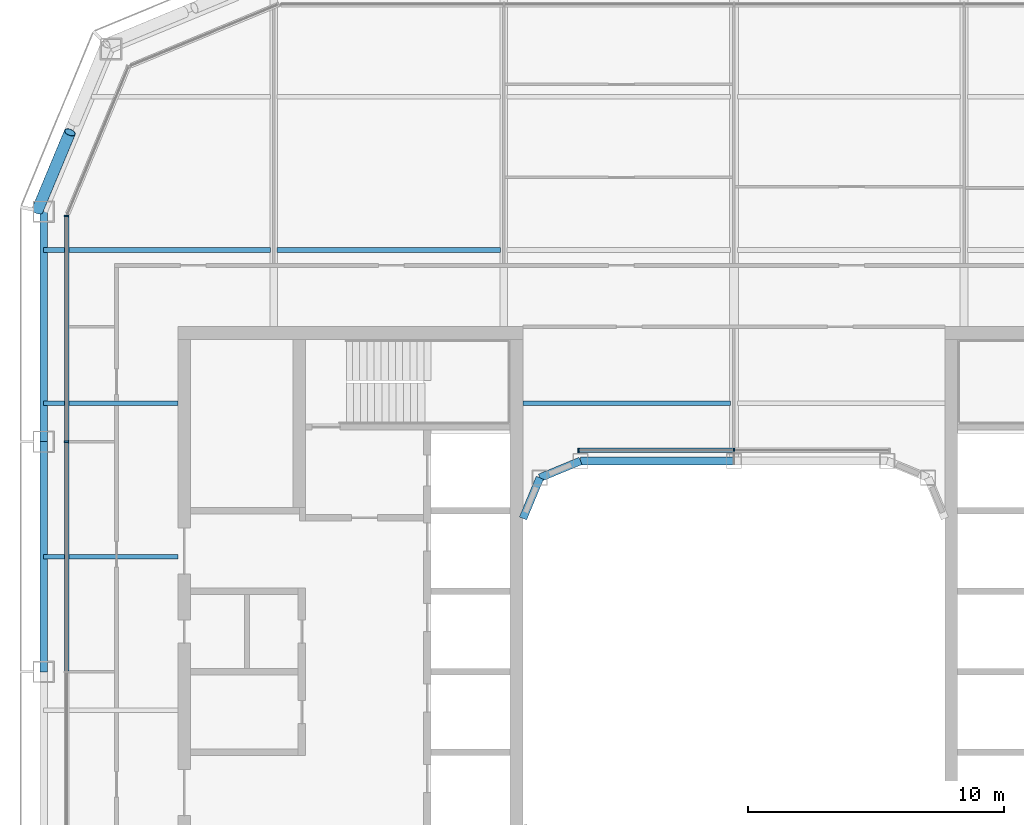
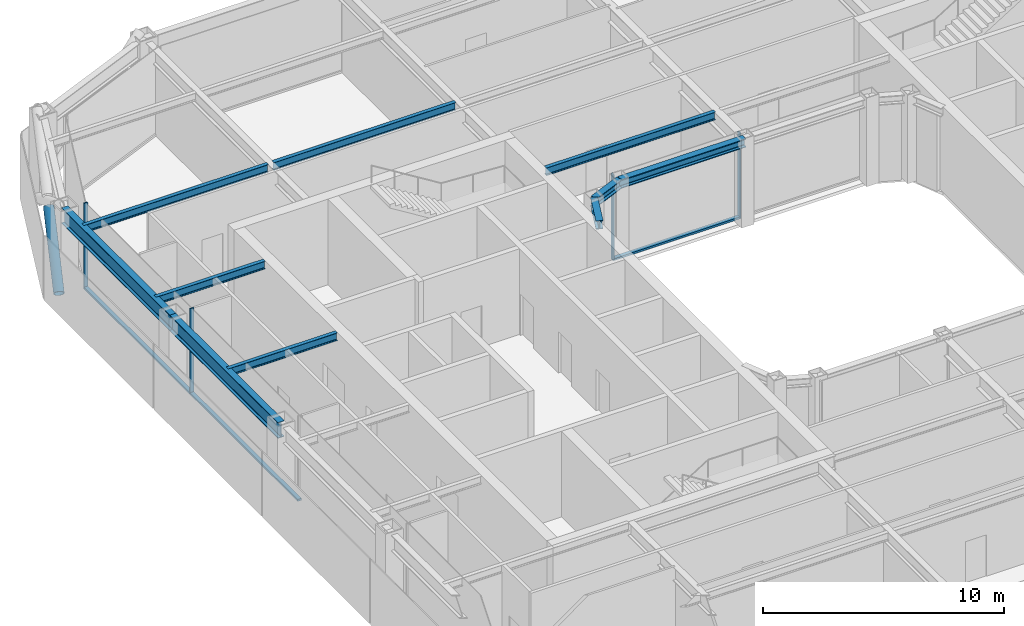
# One storey, part 6 of 19: 10 beams, 8 members, 2 elements without a shape of their own.
"""IFC4 building model written with IfcOpenShell, lengths in metres."""

import ifcopenshell
import ifcopenshell.guid

model = None  # the IFC model being written
_history = None  # IfcOwnerHistory: only IFC2X3 demands one
_inside = {}  # id of a spatial element -> (the spatial element, [elements in it])
_under = {}  # id of a project, library or spatial element -> (it, [spatial elements below it])
_declared = {}  # id of a project -> (the project, [libraries it declares])
_typed = {}  # id of a type object -> (the type object, [elements of that type])
_made_of = {}  # id of a material, layer set ... -> (it, [elements and type objects made of it])


def new_model(schema):
    """Start an empty IFC model of exactly this schema.

    Asked for "IFC4X3", IfcOpenShell would pick the latest addendum, in which some entities
    have other attributes; the version numbers below select the first issue.
    IFC2X3 requires an IfcOwnerHistory on every rooted entity: one is made here for all.
    """
    global model, _history
    if schema == "IFC4X3":
        model = ifcopenshell.file(schema_version=(4, 3, 0, 0))
    else:
        model = ifcopenshell.file(schema=schema)
    _inside.clear()
    _under.clear()
    _declared.clear()
    _typed.clear()
    _made_of.clear()
    _history = None
    if model.schema == "IFC2X3":
        org = make("IfcOrganization", Name="unknown")
        user = make(
            "IfcPersonAndOrganization",
            ThePerson=make("IfcPerson", FamilyName="unknown"),
            TheOrganization=org,
        )
        app = make(
            "IfcApplication",
            ApplicationDeveloper=org,
            Version="unknown",
            ApplicationFullName="unknown",
            ApplicationIdentifier="unknown",
        )
        _history = make(
            "IfcOwnerHistory",
            OwningUser=user,
            OwningApplication=app,
            ChangeAction="ADDED",
            CreationDate=0,
        )
    return model


def make(cls, **values):
    """One entity of the class cls with the attributes given. An attribute that is None is left unset."""
    return model.create_entity(
        cls, **{name: value for name, value in values.items() if value is not None}
    )


def rooted(cls, **values):
    """An entity with a GlobalId (a new one), such as an element, a storey or a relation."""
    return make(cls, GlobalId=ifcopenshell.guid.new(), OwnerHistory=_history, **values)


def si_unit(unit_type, name, prefix=None):
    """IfcSIUnit, for example si_unit("LENGTHUNIT", "METRE", prefix="MILLI")."""
    return make("IfcSIUnit", UnitType=unit_type, Prefix=prefix, Name=name)


def assignment(units):
    """IfcUnitAssignment: the units of a project."""
    return None if units is None else make("IfcUnitAssignment", Units=units)


def point(xyz):
    """IfcCartesianPoint."""
    return None if xyz is None else make("IfcCartesianPoint", Coordinates=xyz)


def direction(xyz):
    """IfcDirection."""
    return None if xyz is None else make("IfcDirection", DirectionRatios=xyz)


def frame(location, z_axis=None, x_axis=None):
    """IfcAxis2Placement3D, a coordinate frame: its origin and axes. An axis left out is left unset."""
    return make(
        "IfcAxis2Placement3D",
        Location=point(location),
        Axis=direction(z_axis),
        RefDirection=direction(x_axis),
    )


def frame_2d(location, x_axis=None):
    """IfcAxis2Placement2D, a coordinate frame in the plane: its origin and x axis."""
    return make(
        "IfcAxis2Placement2D", Location=point(location), RefDirection=direction(x_axis)
    )


def origin():
    """The frame at (0, 0, 0) with its axes left unset."""
    return frame((0.0, 0.0, 0.0))


def origin_2d():
    """The frame at (0, 0) in the plane with its x axis left unset."""
    return frame_2d((0.0, 0.0))


def place(relative_to, where):
    """IfcLocalPlacement: puts the frame where relative to a parent placement (None: the world)."""
    return make(
        "IfcLocalPlacement", PlacementRelTo=relative_to, RelativePlacement=where
    )


def context(
    kind, dimensions, precision=None, world=None, true_north=None, identifier=None
):
    """IfcGeometricRepresentationContext, for example the 3D "Model" context."""
    return make(
        "IfcGeometricRepresentationContext",
        ContextIdentifier=identifier,
        ContextType=kind,
        CoordinateSpaceDimension=dimensions,
        Precision=precision,
        WorldCoordinateSystem=world,
        TrueNorth=true_north,
    )


def subcontext(parent, identifier, kind, view, scale=None):
    """IfcGeometricRepresentationSubContext, for example "Body" below "Model"."""
    return make(
        "IfcGeometricRepresentationSubContext",
        ContextIdentifier=identifier,
        ContextType=kind,
        ParentContext=parent,
        TargetScale=scale,
        TargetView=view,
    )


def project(units=None, contexts=None):
    """IfcProject with its units and contexts."""
    return rooted(
        "IfcProject",
        Name="project",
        RepresentationContexts=contexts,
        UnitsInContext=assignment(units),
    )


def spatial(cls, under=None, at=None, **own):
    """A site, building, storey or space (cls), placed at a placement, below another one or the project."""
    s = rooted(cls, ObjectPlacement=at, **own)
    if under is not None:
        _under.setdefault(under.id(), (under, []))[1].append(s)
    return s


def profile(cls, at=None, kind="AREA", **sizes):
    """A parametric profile (cls). Its sizes go by their IFC names, for example OverallWidth=200.0."""
    return make(cls, ProfileType=kind, Position=at, **sizes)


def rectangle(**sizes):
    """IfcRectangleProfileDef."""
    return profile("IfcRectangleProfileDef", **sizes)


def hollow_circle(**sizes):
    """IfcCircleHollowProfileDef."""
    return profile("IfcCircleHollowProfileDef", **sizes)


def i_section(**sizes):
    """IfcIShapeProfileDef."""
    return profile("IfcIShapeProfileDef", **sizes)


def extrude(swept, where, along, depth):
    """IfcExtrudedAreaSolid: the profile swept, set in the frame where, extruded along a direction by depth."""
    return make(
        "IfcExtrudedAreaSolid",
        SweptArea=swept,
        Position=where,
        ExtrudedDirection=direction(along),
        Depth=depth,
    )


def shape(context_of_items, identifier, shape_type, items):
    """IfcShapeRepresentation: the items that make up one representation, for example the "Body"."""
    return make(
        "IfcShapeRepresentation",
        ContextOfItems=context_of_items,
        RepresentationIdentifier=identifier,
        RepresentationType=shape_type,
        Items=items,
    )


def material(Name=None, Category=None):
    """IfcMaterial."""
    return make("IfcMaterial", Name=Name, Category=Category)


def layer(
    of_material, thickness, ventilated=None, Name=None, Category=None, Priority=None
):
    """IfcMaterialLayer: one layer of a wall or slab, of a material (None: an air gap)."""
    return make(
        "IfcMaterialLayer",
        Material=of_material,
        LayerThickness=thickness,
        IsVentilated=ventilated,
        Name=Name,
        Category=Category,
        Priority=Priority,
    )


def layer_set(layers, Name=None):
    """IfcMaterialLayerSet."""
    return make("IfcMaterialLayerSet", MaterialLayers=layers, LayerSetName=Name)


def material_profile(
    of_material, cross_section, Name=None, Category=None, Priority=None
):
    """IfcMaterialProfile: a cross section and its material."""
    return make(
        "IfcMaterialProfile",
        Name=Name,
        Material=of_material,
        Profile=cross_section,
        Priority=Priority,
        Category=Category,
    )


def profile_set(profiles, Name=None, composite=None):
    """IfcMaterialProfileSet."""
    return make(
        "IfcMaterialProfileSet",
        Name=Name,
        MaterialProfiles=profiles,
        CompositeProfile=composite,
    )


def made_of(thing, what):
    """Note that an element or type object is made of a material, layer set ...; save() writes the relation."""
    if what is not None:
        _made_of.setdefault(what.id(), (what, []))[1].append(thing)
    return thing


def type_object(cls, material=None, **own):
    """A type object (cls), such as IfcWallType, which elements share."""
    return made_of(rooted(cls, **own), material)


def element(
    cls,
    number,
    at=None,
    inside=None,
    cuts=None,
    type_object=None,
    material=None,
    context=None,
    identifier="Body",
    shape_type=None,
    held_by="IfcProductDefinitionShape",
    body=None,
    shapes=None,
    **own,
):
    """One element of the class cls, such as IfcWall. Its Tag is "e" and its number.

    at: its placement. inside: the storey or other place that contains it. cuts: it is an
    opening in that element (IfcRelVoidsElement). A single representation is given by context,
    identifier, shape_type and body (its items); several are given by shapes. held_by: the class
    of the entity that holds the representations. save() writes the other relations.
    """
    e = rooted(cls, Tag="e%d" % number, ObjectPlacement=at, **own)
    if body is not None:
        shapes = [shape(context, identifier, shape_type, body)]
    if shapes is not None:
        e.Representation = make(held_by, Representations=shapes)
    if inside is not None:
        _inside.setdefault(inside.id(), (inside, []))[1].append(e)
    if cuts is not None:
        rooted(
            "IfcRelVoidsElement", RelatingBuildingElement=cuts, RelatedOpeningElement=e
        )
    if type_object is not None:
        _typed.setdefault(type_object.id(), (type_object, []))[1].append(e)
    return made_of(e, material)


def aggregate(whole, parts):
    """IfcRelAggregates: a whole, such as a stair, and the parts it consists of."""
    return rooted("IfcRelAggregates", RelatingObject=whole, RelatedObjects=parts)


def save(model, path):
    """Write the relations noted so far, then the file.

    IfcRelAggregates (storeys below a building ...), IfcRelContainedInSpatialStructure (elements
    in a storey), IfcRelDefinesByType, IfcRelAssociatesMaterial and IfcRelDeclares: one each for
    every whole, place, type object, material and project.
    """
    for whole, parts in _under.values():
        aggregate(whole, parts)
    for where, things in _inside.values():
        rooted(
            "IfcRelContainedInSpatialStructure",
            RelatedElements=things,
            RelatingStructure=where,
        )
    for kind, things in _typed.values():
        rooted("IfcRelDefinesByType", RelatedObjects=things, RelatingType=kind)
    for what, things in _made_of.values():
        rooted("IfcRelAssociatesMaterial", RelatedObjects=things, RelatingMaterial=what)
    for by, libraries in _declared.values():
        rooted("IfcRelDeclares", RelatingContext=by, RelatedDefinitions=libraries)
    model.write(path)


model = new_model("IFC4")

# Units and contexts
model_context = context("Model", 3, precision=1e-05, world=origin(), true_north=direction((0.0, 1.0)))
body_context = subcontext(model_context, "Body", "Model", "MODEL_VIEW")
ifc_project = project(units=[si_unit("LENGTHUNIT", "METRE"), si_unit("AREAUNIT", "SQUARE_METRE"), si_unit("VOLUMEUNIT", "CUBIC_METRE"), si_unit("PLANEANGLEUNIT", "RADIAN"), si_unit("MASSUNIT", "GRAM", prefix="KILO")], contexts=[model_context])

# Site, building, storey
site_placement = place(None, origin())
site = spatial("IfcSite", under=ifc_project, at=site_placement, CompositionType="ELEMENT")
building_placement = place(site_placement, origin())
building = spatial("IfcBuilding", under=site, at=building_placement, Name="Siwar Civic Tower", CompositionType="ELEMENT")
storey_placement = place(building_placement, frame((0.0, 0.0, 210.699951171875)))
storey = spatial("IfcBuildingStorey", under=building, at=storey_placement, Name="L45", CompositionType="ELEMENT", Elevation=210.699951171875)

# Curtain wall, members
ifc_material_1 = material(Name="Aluminium and glass", Category="aluminium")
ifc_layer_1 = layer(ifc_material_1, 0.179931640625)
ifc_layer_set_1 = layer_set([ifc_layer_1], Name="Aluminium and glass")
curtain_wall_type_1 = type_object("IfcCurtainWallType", Name="ENV-CW-C", PredefinedType="NOTDEFINED", material=ifc_layer_set_1)
curtain_wall_1_placement = place(storey_placement, origin())
curtain_wall_1 = element("IfcCurtainWall", 1, at=curtain_wall_1_placement, inside=storey, type_object=curtain_wall_type_1, Name="Curtain wall C W", PredefinedType="NOTDEFINED")
ifc_material_2 = material(Name="Aluminium 6063-T6", Category="aluminium")
ifc_material_profile_1 = material_profile(ifc_material_2, rectangle(XDim=0.179931640625, YDim=0.06005859375, at=origin_2d()), Name="AL 180x60")
ifc_profile_set_1 = profile_set([ifc_material_profile_1], Name="Aluminium 6063-T6")
member_type_1 = type_object("IfcMemberType", Name="ENV-MULLION-C", PredefinedType="MULLION", material=ifc_profile_set_1)
member_1_placement = place(storey_placement, frame((-26.10009765625, 17.821044921875, 0.0), z_axis=(0.0, 0.0, 1.0), x_axis=(1.0, 0.0, 0.0)))
member_1 = element("IfcMember", 2, at=member_1_placement, type_object=member_type_1, Name="Mullion C W 1", PredefinedType="MULLION", context=body_context, shape_type="SweptSolid", body=[
    extrude(rectangle(XDim=0.179931640625, YDim=0.06005859375, at=origin_2d()), origin(), (0.0, 0.0, 1.0), 4.35009765625),
])
member_2_placement = place(storey_placement, frame((-26.10009765625, 9.0, 0.0), z_axis=(0.0, 0.0, 1.0), x_axis=(1.0, 0.0, 0.0)))
member_2 = element("IfcMember", 3, at=member_2_placement, type_object=member_type_1, Name="Mullion C W 2", PredefinedType="MULLION", context=body_context, shape_type="SweptSolid", body=[
    extrude(rectangle(XDim=0.179931640625, YDim=0.06005859375, at=origin_2d()), origin(), (0.0, 0.0, 1.0), 4.35009765625),
])

ifc_material_3 = material(Name="Aluminium and glass", Category="aluminium")
ifc_layer_2 = layer(ifc_material_3, 0.179931640625)
ifc_layer_set_2 = layer_set([ifc_layer_2], Name="Aluminium and glass")
curtain_wall_type_2 = type_object("IfcCurtainWallType", Name="ENV-CW-W", PredefinedType="NOTDEFINED", material=ifc_layer_set_2)
curtain_wall_2_placement = place(storey_placement, origin())
curtain_wall_2 = element("IfcCurtainWall", 4, at=curtain_wall_2_placement, inside=storey, type_object=curtain_wall_type_2, Name="Curtain wall W WN", PredefinedType="NOTDEFINED")
ifc_material_4 = material(Name="Aluminium 6063-T6", Category="aluminium")
ifc_material_profile_2 = material_profile(ifc_material_4, rectangle(XDim=0.179931640625, YDim=0.06005859375, at=origin_2d()), Name="AL 180x60")
ifc_profile_set_2 = profile_set([ifc_material_profile_2], Name="Aluminium 6063-T6")
member_type_2 = type_object("IfcMemberType", Name="ENV-MULLION-W", PredefinedType="MULLION", material=ifc_profile_set_2)
member_3_placement = place(storey_placement, frame((0.0, 8.659912109375, 0.0), z_axis=(0.0, 0.0, 1.0), x_axis=(0.0, -1.0, 0.0)))
member_3 = element("IfcMember", 5, at=member_3_placement, type_object=member_type_2, Name="Mullion W WN 2", PredefinedType="MULLION", context=body_context, shape_type="SweptSolid", body=[
    extrude(rectangle(XDim=0.179931640625, YDim=0.06005859375, at=origin_2d()), origin(), (0.0, 0.0, 1.0), 4.35009765625),
])
member_4_placement = place(storey_placement, frame((-6.08154296875, 8.659912109375, 0.0), z_axis=(0.0, 0.0, 1.0), x_axis=(0.0, -1.0, 0.0)))
member_4 = element("IfcMember", 6, at=member_4_placement, type_object=member_type_2, Name="Mullion W WN 3", PredefinedType="MULLION", context=body_context, shape_type="SweptSolid", body=[
    extrude(rectangle(XDim=0.179931640625, YDim=0.06005859375, at=origin_2d()), origin(), (0.0, 0.0, 1.0), 4.35009765625),
])

# Member
ifc_material_5 = material(Name="Aluminium 6063-T6", Category="aluminium")
ifc_material_profile_3 = material_profile(ifc_material_5, rectangle(XDim=0.179931640625, YDim=0.10009765625, at=origin_2d()), Name="AL 180x100")
ifc_profile_set_3 = profile_set([ifc_material_profile_3], Name="Aluminium 6063-T6")
member_type_3 = type_object("IfcMemberType", Name="ENV-TRANSOM-C", PredefinedType="USERDEFINED", material=ifc_profile_set_3)
member_5_placement = place(storey_placement, frame((-26.10009765625, 17.791015625, 0.050048828125), z_axis=(0.0, -1.0, 0.0), x_axis=(1.0, 0.0, 0.0)))
member_5 = element("IfcMember", 7, at=member_5_placement, type_object=member_type_3, Name="Transom C W 1", ObjectType="TRANSOM", PredefinedType="USERDEFINED", context=body_context, shape_type="SweptSolid", body=[
    extrude(rectangle(XDim=0.179931640625, YDim=0.10009765625, at=origin_2d()), origin(), (0.0, 0.0, 1.0), 8.760986328125),
])

member_6_placement = place(storey_placement, frame((-26.10009765625, 8.969970703125, 0.050048828125), z_axis=(0.0, -1.0, 0.0), x_axis=(1.0, 0.0, 0.0)))
member_6 = element("IfcMember", 8, at=member_6_placement, type_object=member_type_3, Name="Transom C W 2", ObjectType="TRANSOM", PredefinedType="USERDEFINED", context=body_context, shape_type="SweptSolid", body=[
    extrude(rectangle(XDim=0.179931640625, YDim=0.10009765625, at=origin_2d()), origin(), (0.0, 0.0, 1.0), 8.93994140625),
])

aggregate(curtain_wall_1, [member_1, member_2, member_5, member_6])

ifc_material_6 = material(Name="Aluminium 6063-T6", Category="aluminium")
ifc_material_profile_4 = material_profile(ifc_material_6, rectangle(XDim=0.179931640625, YDim=0.10009765625, at=origin_2d()), Name="AL 180x100")
ifc_profile_set_4 = profile_set([ifc_material_profile_4], Name="Aluminium 6063-T6")
member_type_4 = type_object("IfcMemberType", Name="ENV-TRANSOM-W", PredefinedType="USERDEFINED", material=ifc_profile_set_4)
member_7_placement = place(storey_placement, frame((-0.030029296875, 8.659912109375, 0.050048828125), z_axis=(-1.0, 0.0, 0.0), x_axis=(0.0, -1.0, 0.0)))
member_7 = element("IfcMember", 9, at=member_7_placement, type_object=member_type_4, Name="Transom W WN 2", ObjectType="TRANSOM", PredefinedType="USERDEFINED", context=body_context, shape_type="SweptSolid", body=[
    extrude(rectangle(XDim=0.179931640625, YDim=0.10009765625, at=origin_2d()), origin(), (0.0, 0.0, 1.0), 6.021484375),
])

aggregate(curtain_wall_2, [member_3, member_4, member_7])

ifc_material_7 = material(Name="Steel S355", Category="steel")
ifc_material_profile_5 = material_profile(ifc_material_7, hollow_circle(Radius=0.228515625, WallThickness=0.02001953125, at=origin_2d()), Name="CHS457x20")
ifc_profile_set_5 = profile_set([ifc_material_profile_5], Name="Steel S355")
member_type_5 = type_object("IfcMemberType", Name="STR-BR-CHS457x20", PredefinedType="BRACE", material=ifc_profile_set_5)
member_8_placement = place(storey_placement, frame((-27.2451171875, 18.048828125, 0.0), z_axis=(0.323884455881, 0.777546448489, 0.538999424564), x_axis=(-0.92311621485, 0.38452107079, 0.0)))
element("IfcMember", 10, at=member_8_placement, inside=storey, type_object=member_type_5, Name="L45/brc/CNW1-5-0-2", PredefinedType="BRACE", context=body_context, shape_type="SweptSolid", body=[
    extrude(hollow_circle(Radius=0.228515625, WallThickness=0.02001953125, at=origin_2d()), origin(), (0.0, 0.0, 1.0), 3.927978515625),
])

# Beams
ifc_material_8 = material(Name="Steel S355", Category="steel")
ifc_material_profile_6 = material_profile(ifc_material_8, i_section(OverallWidth=0.179931640625, OverallDepth=0.39990234375, WebThickness=0.008544921875, FlangeThickness=0.013427734375, FilletRadius=0.02099609375, at=origin_2d()), Name="IPE400")
ifc_profile_set_6 = profile_set([ifc_material_profile_6], Name="Steel S355")
beam_type_1 = type_object("IfcBeamType", Name="STR-FB-IPE400", PredefinedType="JOIST", material=ifc_profile_set_6)
for number, where, z_axis, x_axis, name in (
    (11, (-27.0, 4.5, 4.150146484375), (1.0, 0.0, 0.0), (0.0, 1.0, 0.0), "L45/bm/F025"),
    (12, (-27.0, 10.5, 4.150146484375), (1.0, 0.0, 0.0), (0.0, 1.0, 0.0), "L45/bm/F027"),
):
    element("IfcBeam", number, at=place(storey_placement, frame(where, z_axis=z_axis, x_axis=x_axis)), inside=storey, type_object=beam_type_1, Name=name, PredefinedType="JOIST", context=body_context, shape_type="SweptSolid", body=[
        extrude(i_section(OverallWidth=0.179931640625, OverallDepth=0.39990234375, WebThickness=0.008544921875, FlangeThickness=0.013427734375, FilletRadius=0.02099609375, at=origin_2d()), origin(), (0.0, 0.0, 1.0), 5.25),
    ])
beam_1_placement = place(storey_placement, frame((-8.25, 10.5, 4.150146484375), z_axis=(1.0, 0.0, 0.0), x_axis=(0.0, 1.0, 0.0)))
element("IfcBeam", 13, at=beam_1_placement, inside=storey, type_object=beam_type_1, Name="L45/bm/F028", PredefinedType="JOIST", context=body_context, shape_type="SweptSolid", body=[
    extrude(i_section(OverallWidth=0.179931640625, OverallDepth=0.39990234375, WebThickness=0.008544921875, FlangeThickness=0.013427734375, FilletRadius=0.02099609375, at=origin_2d()), origin(), (0.0, 0.0, 1.0), 8.1201171875),
])
beam_2_placement = place(storey_placement, frame((-27.0, 16.5, 4.150146484375), z_axis=(1.0, 0.0, 0.0), x_axis=(0.0, 1.0, 0.0)))
element("IfcBeam", 14, at=beam_2_placement, inside=storey, type_object=beam_type_1, Name="L45/bm/F031", PredefinedType="JOIST", context=body_context, shape_type="SweptSolid", body=[
    extrude(i_section(OverallWidth=0.179931640625, OverallDepth=0.39990234375, WebThickness=0.008544921875, FlangeThickness=0.013427734375, FilletRadius=0.02099609375, at=origin_2d()), origin(), (0.0, 0.0, 1.0), 8.8701171875),
])
beam_3_placement = place(storey_placement, frame((-17.8701171875, 16.5, 4.150146484375), z_axis=(1.0, 0.0, 0.0), x_axis=(0.0, 1.0, 0.0)))
element("IfcBeam", 15, at=beam_3_placement, inside=storey, type_object=beam_type_1, Name="L45/bm/F032", PredefinedType="JOIST", context=body_context, shape_type="SweptSolid", body=[
    extrude(i_section(OverallWidth=0.179931640625, OverallDepth=0.39990234375, WebThickness=0.008544921875, FlangeThickness=0.013427734375, FilletRadius=0.02099609375, at=origin_2d()), origin(), (0.0, 0.0, 1.0), 8.740234375),
])
ifc_material_9 = material(Name="Steel S355", Category="steel")
ifc_material_profile_7 = material_profile(ifc_material_9, i_section(OverallWidth=0.306884765625, OverallDepth=0.431884765625, WebThickness=0.02099609375, FlangeThickness=0.0400390625, FilletRadius=0.027099609375, at=origin_2d()), Name="HEM400")
ifc_profile_set_7 = profile_set([ifc_material_profile_7], Name="Steel S355")
beam_type_2 = type_object("IfcBeamType", Name="STR-RB-HEM400", PredefinedType="BEAM", material=ifc_profile_set_7)
beam_4_placement = place(storey_placement, frame((-7.591064453125, 7.591064453125, 4.134033203125), z_axis=(0.923901072997, 0.382631424892, 0.0), x_axis=(-0.382631424892, 0.923901072997, 0.0)))
element("IfcBeam", 16, at=beam_4_placement, inside=storey, type_object=beam_type_2, Name="L45/bm/RN0", PredefinedType="BEAM", context=body_context, shape_type="SweptSolid", body=[
    extrude(i_section(OverallWidth=0.306884765625, OverallDepth=0.431884765625, WebThickness=0.02099609375, FlangeThickness=0.0400390625, FilletRadius=0.027099609375, at=origin_2d()), origin(), (0.0, 0.0, 1.0), 1.72216796875),
])
beam_5_placement = place(storey_placement, frame((-6.0, 8.25, 4.134033203125), z_axis=(1.0, 0.0, 0.0), x_axis=(0.0, 1.0, 0.0)))
element("IfcBeam", 17, at=beam_5_placement, inside=storey, type_object=beam_type_2, Name="L45/bm/RN1", PredefinedType="BEAM", context=body_context, shape_type="SweptSolid", body=[
    extrude(i_section(OverallWidth=0.306884765625, OverallDepth=0.431884765625, WebThickness=0.02099609375, FlangeThickness=0.0400390625, FilletRadius=0.027099609375, at=origin_2d()), origin(), (0.0, 0.0, 1.0), 6.0),
])
beam_6_placement = place(storey_placement, frame((-7.591064453125, 7.591064453125, 4.134033203125), z_axis=(-0.382631424892, -0.923901072997, 0.0), x_axis=(0.923901072997, -0.382631424892, 0.0)))
element("IfcBeam", 18, at=beam_6_placement, inside=storey, type_object=beam_type_2, Name="L45/bm/RNEW", PredefinedType="BEAM", context=body_context, shape_type="SweptSolid", body=[
    extrude(i_section(OverallWidth=0.306884765625, OverallDepth=0.431884765625, WebThickness=0.02099609375, FlangeThickness=0.0400390625, FilletRadius=0.027099609375, at=origin_2d()), origin(), (0.0, 0.0, 1.0), 1.72216796875),
])
ifc_material_10 = material(Name="Steel S355", Category="steel")
ifc_material_profile_8 = material_profile(ifc_material_10, i_section(OverallWidth=0.300048828125, OverallDepth=0.800048828125, WebThickness=0.017578125, FlangeThickness=0.032958984375, FilletRadius=0.030029296875, at=origin_2d()), Name="HEB800")
ifc_profile_set_8 = profile_set([ifc_material_profile_8], Name="Steel S355")
beam_type_3 = type_object("IfcBeamType", Name="STR-SB-HEB800", PredefinedType="BEAM", material=ifc_profile_set_8)
for number, where, z_axis, x_axis, name in (
    (19, (-27.0, 18.0, 3.949951171875), (0.0, -1.0, 0.0), (1.0, 0.0, 0.0), "L45/bm/SW-0"),
    (20, (-27.0, 9.0, 3.949951171875), (0.0, -1.0, 0.0), (1.0, 0.0, 0.0), "L45/bm/SW-1"),
):
    element("IfcBeam", number, at=place(storey_placement, frame(where, z_axis=z_axis, x_axis=x_axis)), inside=storey, type_object=beam_type_3, Name=name, PredefinedType="BEAM", context=body_context, shape_type="SweptSolid", body=[
        extrude(i_section(OverallWidth=0.300048828125, OverallDepth=0.800048828125, WebThickness=0.017578125, FlangeThickness=0.032958984375, FilletRadius=0.030029296875, at=origin_2d()), origin(), (0.0, 0.0, 1.0), 9.0),
    ])

save(model, "model.ifc")
